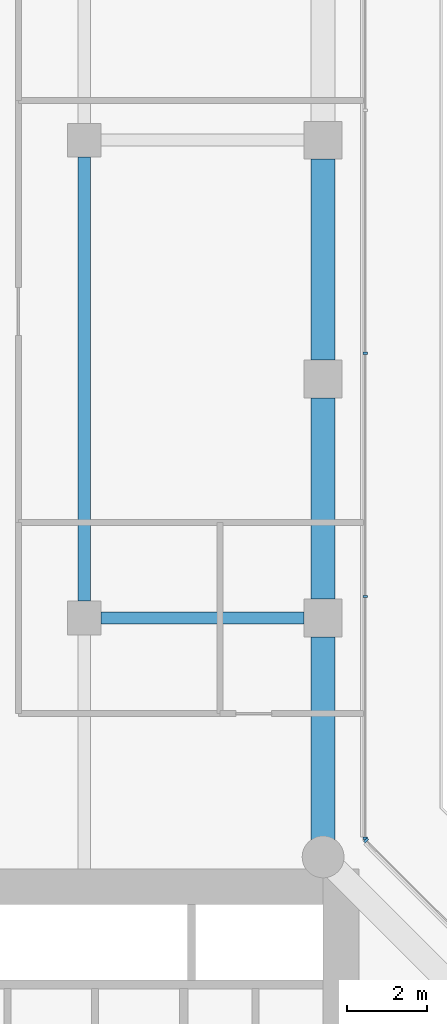
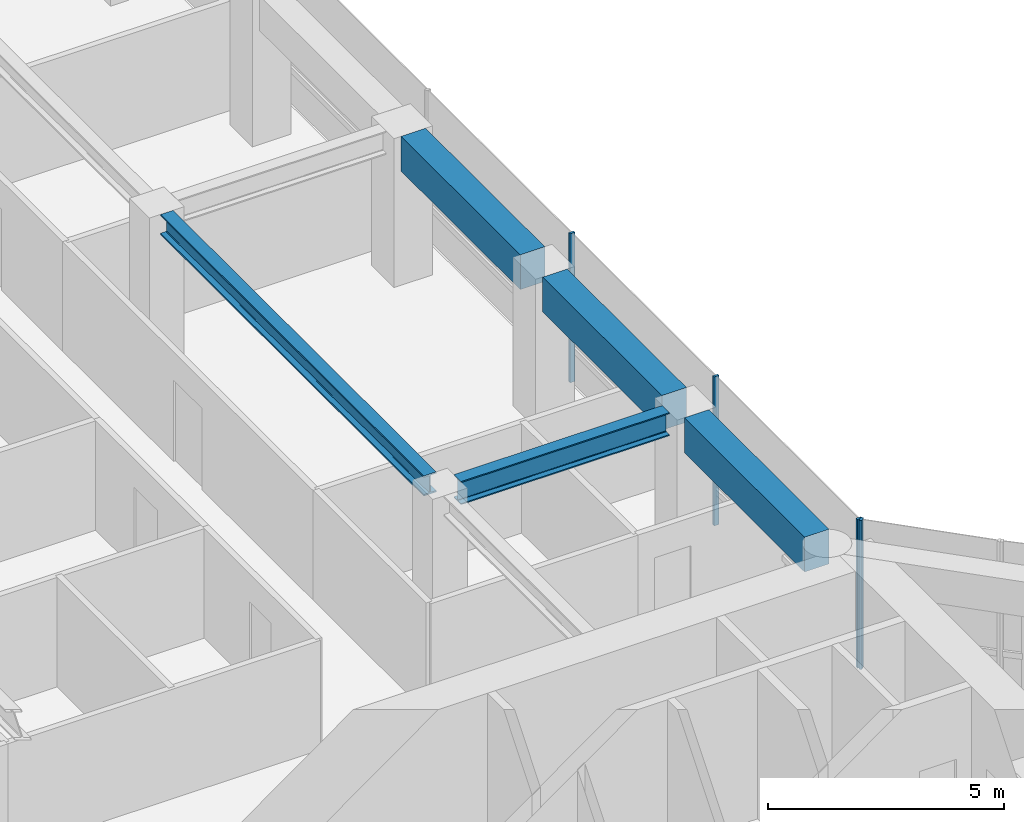
# One storey, part 15 of 29: 5 beams, 4 members, 2 elements without a shape of their own.
"""IFC4 building model written with IfcOpenShell, lengths in metres."""

from ifc_helpers import new_model, si_unit, direction, frame, origin, origin_2d, place, context, subcontext, project, spatial, rectangle, i_section, extrude, material, layer, layer_set, material_profile, profile_set, type_object, element, aggregate, save


model = new_model("IFC4")

# Units and contexts
model_context = context("Model", 3, precision=1e-05, world=origin(), true_north=direction((0.0, 1.0)))
body_context = subcontext(model_context, "Body", "Model", "MODEL_VIEW")
ifc_project = project(units=[si_unit("LENGTHUNIT", "METRE"), si_unit("AREAUNIT", "SQUARE_METRE"), si_unit("VOLUMEUNIT", "CUBIC_METRE"), si_unit("PLANEANGLEUNIT", "RADIAN"), si_unit("MASSUNIT", "GRAM", prefix="KILO")], contexts=[model_context])

# Site, building, storey
site_placement = place(None, origin())
site = spatial("IfcSite", under=ifc_project, at=site_placement, CompositionType="ELEMENT")
building_placement = place(site_placement, origin())
building = spatial("IfcBuilding", under=site, at=building_placement, Name="Welwitschia Terrace Campus", CompositionType="ELEMENT")
storey_placement = place(building_placement, frame((0.0, 0.0, 62.60009765625)))
storey = spatial("IfcBuildingStorey", under=building, at=storey_placement, Name="L14", CompositionType="ELEMENT", Elevation=62.60009765625)

# Beam
ifc_material_1 = material(Name="Steel S355", Category="steel")
ifc_material_profile_1 = material_profile(ifc_material_1, i_section(OverallWidth=0.305908203125, OverallDepth=0.52392578125, WebThickness=0.02099609375, FlangeThickness=0.0400390625, FilletRadius=0.027099609375, at=origin_2d()))
ifc_profile_set_1 = profile_set([ifc_material_profile_1], Name="Steel S355")
beam_type_1 = type_object("IfcBeamType", Name="Interior girder HE 500 M", PredefinedType="BEAM", material=ifc_profile_set_1)
beam_1_placement = place(storey_placement, frame((18.0, 32.425537109375, 3.587890625), z_axis=(0.0, 1.0, 0.0), x_axis=(-1.0, 0.0, 0.0)))
element("IfcBeam", 1, at=beam_1_placement, inside=storey, type_object=beam_type_1, Name="Girder GB2", PredefinedType="BEAM", context=body_context, shape_type="SweptSolid", body=[
    extrude(i_section(OverallWidth=0.305908203125, OverallDepth=0.52392578125, WebThickness=0.02099609375, FlangeThickness=0.0400390625, FilletRadius=0.027099609375, at=origin_2d()), origin(), (0.0, 0.0, 1.0), 11.14892578125),
])

# Curtain wall, member
ifc_material_2 = material(Name="Bronze anodised aluminium", Category="aluminium")
ifc_layer = layer(ifc_material_2, 0.1201171875)
ifc_layer_set = layer_set([ifc_layer], Name="Bronze anodised aluminium")
curtain_wall_type = type_object("IfcCurtainWallType", Name="Curtain wall CW2 tower 6000", PredefinedType="NOTDEFINED", material=ifc_layer_set)
curtain_wall_1_placement = place(storey_placement, origin())
curtain_wall_1 = element("IfcCurtainWall", 2, at=curtain_wall_1_placement, inside=storey, type_object=curtain_wall_type, Name="CW L14.9.0", PredefinedType="NOTDEFINED")
ifc_material_3 = material(Name="Bronze anodised aluminium", Category="aluminium")
ifc_material_profile_2 = material_profile(ifc_material_3, rectangle(XDim=0.1201171875, YDim=0.06005859375, at=origin_2d()))
ifc_profile_set_2 = profile_set([ifc_material_profile_2], Name="Bronze anodised aluminium")
member_type = type_object("IfcMemberType", Name="Mullion 60x120", PredefinedType="MULLION", material=ifc_profile_set_2)
member_1_placement = place(storey_placement, frame((25.0791015625, 26.4169921875, 0.0), z_axis=(0.0, 0.0, 1.0), x_axis=(-0.707106781187, -0.707106781187, 0.0)))
member_1 = element("IfcMember", 3, at=member_1_placement, type_object=member_type, Name="Mullion L14.9.0.1", PredefinedType="MULLION", context=body_context, shape_type="SweptSolid", body=[
    extrude(rectangle(XDim=0.1201171875, YDim=0.06005859375, at=origin_2d()), origin(), (0.0, 0.0, 1.0), 3.849853515625),
])
aggregate(curtain_wall_1, [member_1])

# Curtain wall, members
curtain_wall_2_placement = place(storey_placement, origin())
curtain_wall_2 = element("IfcCurtainWall", 4, at=curtain_wall_2_placement, inside=storey, type_object=curtain_wall_type, Name="CW L14.10.0", PredefinedType="NOTDEFINED")
member_2_placement = place(storey_placement, frame((25.05810546875, 26.46826171875, 0.0), z_axis=(0.0, 0.0, 1.0), x_axis=(-1.0, 0.0, 0.0)))
member_2 = element("IfcMember", 5, at=member_2_placement, type_object=member_type, Name="Mullion L14.10.0.0", PredefinedType="MULLION", context=body_context, shape_type="SweptSolid", body=[
    extrude(rectangle(XDim=0.1201171875, YDim=0.06005859375, at=origin_2d()), origin(), (0.0, 0.0, 1.0), 3.849853515625),
])
member_3_placement = place(storey_placement, frame((25.05810546875, 32.54150390625, 0.0), z_axis=(0.0, 0.0, 1.0), x_axis=(-1.0, 0.0, 0.0)))
member_3 = element("IfcMember", 6, at=member_3_placement, type_object=member_type, Name="Mullion L14.10.0.1", PredefinedType="MULLION", context=body_context, shape_type="SweptSolid", body=[
    extrude(rectangle(XDim=0.1201171875, YDim=0.06005859375, at=origin_2d()), origin(), (0.0, 0.0, 1.0), 3.849853515625),
])
member_4_placement = place(storey_placement, frame((25.05810546875, 38.644775390625, 0.0), z_axis=(0.0, 0.0, 1.0), x_axis=(-1.0, 0.0, 0.0)))
member_4 = element("IfcMember", 7, at=member_4_placement, type_object=member_type, Name="Mullion L14.10.0.2", PredefinedType="MULLION", context=body_context, shape_type="SweptSolid", body=[
    extrude(rectangle(XDim=0.1201171875, YDim=0.06005859375, at=origin_2d()), origin(), (0.0, 0.0, 1.0), 3.849853515625),
])
aggregate(curtain_wall_2, [member_2, member_3, member_4])

# Beams
ifc_material_4 = material(Name="Steel S355", Category="steel")
ifc_material_profile_3 = material_profile(ifc_material_4, i_section(OverallWidth=0.300048828125, OverallDepth=0.60009765625, WebThickness=0.015380859375, FlangeThickness=0.030029296875, FilletRadius=0.027099609375, at=origin_2d()))
ifc_profile_set_3 = profile_set([ifc_material_profile_3], Name="Steel S355")
beam_type_2 = type_object("IfcBeamType", Name="Primary beam HE 600 B", PredefinedType="BEAM", material=ifc_profile_set_3)
beam_2_placement = place(storey_placement, frame((23.5244140625, 32.0, 3.5498046875), z_axis=(-1.0, 0.0, 0.0), x_axis=(0.0, -1.0, 0.0)))
element("IfcBeam", 8, at=beam_2_placement, inside=storey, type_object=beam_type_2, Name="Primary beam PB2", PredefinedType="BEAM", context=body_context, shape_type="SweptSolid", body=[
    extrude(i_section(OverallWidth=0.300048828125, OverallDepth=0.60009765625, WebThickness=0.015380859375, FlangeThickness=0.030029296875, FilletRadius=0.027099609375, at=origin_2d()), origin(), (0.0, 0.0, 1.0), 5.098876953125),
])
ifc_material_5 = material(Name="Concrete C60/75", Category="concrete")
ifc_material_profile_4 = material_profile(ifc_material_5, rectangle(XDim=0.60009765625, YDim=0.89990234375, at=origin_2d()))
ifc_profile_set_4 = profile_set([ifc_material_profile_4], Name="Concrete C60/75")
beam_type_3 = type_object("IfcBeamType", Name="Ring spandrel 600x900", PredefinedType="SPANDREL", material=ifc_profile_set_4)
beam_3_placement = place(storey_placement, frame((24.0, 26.431396484375, 3.39990234375), z_axis=(0.0, 1.0, 0.0), x_axis=(-1.0, 0.0, 0.0)))
element("IfcBeam", 9, at=beam_3_placement, inside=storey, type_object=beam_type_3, Name="Spandrel SP2", PredefinedType="SPANDREL", context=body_context, shape_type="SweptSolid", body=[
    extrude(rectangle(XDim=0.60009765625, YDim=0.89990234375, at=origin_2d()), origin(), (0.0, 0.0, 1.0), 5.093017578125),
])
for number, where, z_axis, x_axis, name in (
    (10, (24.0, 32.4755859375, 3.39990234375), (0.0, 1.0, 0.0), (-1.0, 0.0, 0.0), "Spandrel SP2"),
    (11, (24.0, 38.4755859375, 3.39990234375), (0.0, 1.0, 0.0), (-1.0, 0.0, 0.0), "Spandrel SP2"),
):
    element("IfcBeam", number, at=place(storey_placement, frame(where, z_axis=z_axis, x_axis=x_axis)), inside=storey, type_object=beam_type_3, Name=name, PredefinedType="SPANDREL", context=body_context, shape_type="SweptSolid", body=[
        extrude(rectangle(XDim=0.60009765625, YDim=0.89990234375, at=origin_2d()), origin(), (0.0, 0.0, 1.0), 5.048828125),
    ])

save(model, "model.ifc")
